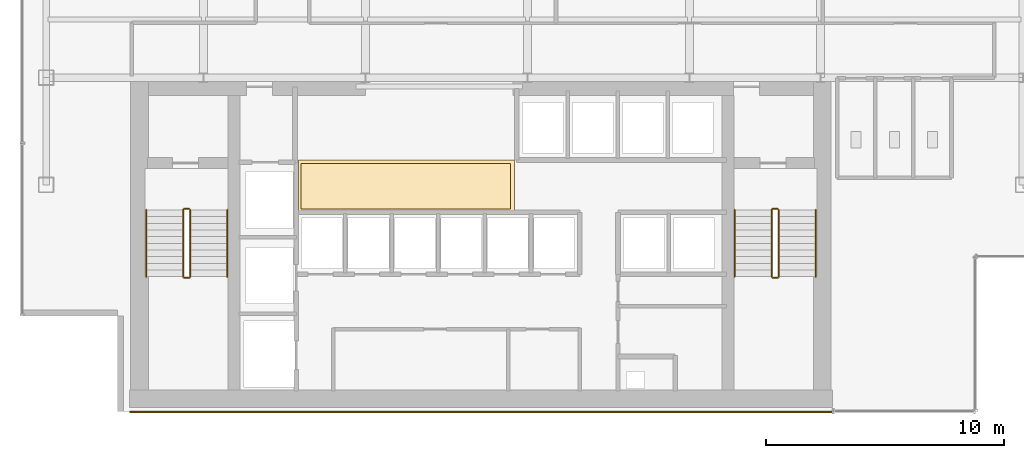
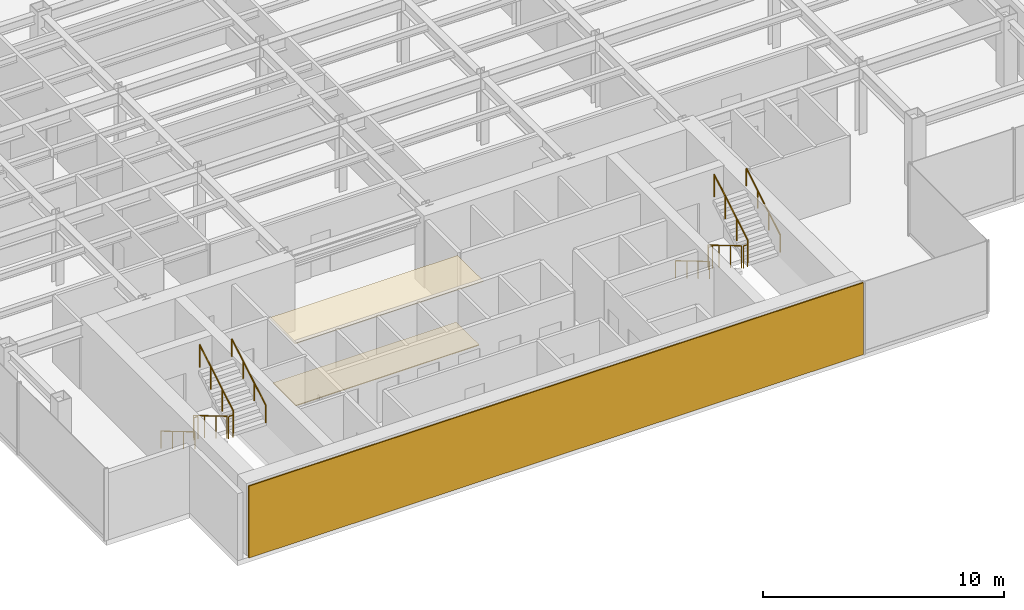
# One storey, part 21 of 23: 12 railings, 3 coverings.
"""IFC4 building model written with IfcOpenShell, lengths in metres."""

from ifc_helpers import new_model, si_unit, derived_unit, direction, frame, origin, origin_2d, place, context, subcontext, project, spatial, polyline, rectangle, circle, outline, extrude, source, transform, mapped, material, layer, layer_set, type_object, element, save


model = new_model("IFC4")

# Units and contexts
model_context = context("Model", 3, precision=1e-05, world=origin(), true_north=direction((0.0, 1.0)))
body_context = subcontext(model_context, "Body", "Model", "MODEL_VIEW")
ifc_project = project(units=[si_unit("LENGTHUNIT", "METRE"), si_unit("AREAUNIT", "SQUARE_METRE"), si_unit("VOLUMEUNIT", "CUBIC_METRE"), si_unit("PLANEANGLEUNIT", "RADIAN"), si_unit("MASSUNIT", "GRAM", prefix="KILO"), derived_unit("THERMALTRANSMITTANCEUNIT", [(si_unit("POWERUNIT", "WATT"), 1), (si_unit("LENGTHUNIT", "METRE"), -2), (si_unit("THERMODYNAMICTEMPERATUREUNIT", "KELVIN"), -1)])], contexts=[model_context])

# Site, building, storey
site_placement = place(None, origin())
site = spatial("IfcSite", under=ifc_project, at=site_placement, CompositionType="ELEMENT")
building_placement = place(site_placement, origin())
building = spatial("IfcBuilding", under=site, at=building_placement, Name="Skarnbrae Concourse Arena and Tower", CompositionType="ELEMENT")
storey_placement = place(building_placement, frame((0.0, 0.0, 140.60009765625)))
storey = spatial("IfcBuildingStorey", under=building, at=storey_placement, Name="L35", CompositionType="ELEMENT", Elevation=140.60009765625)

# Coverings
ifc_material_1 = material(Name="Mineral fibre acoustic ceiling tile", Category="other")
ifc_layer_1 = layer(ifc_material_1, 0.0400390625)
ifc_layer_set_1 = layer_set([ifc_layer_1], Name="Mineral fibre acoustic ceiling tile")
covering_type_1 = type_object("IfcCoveringType", Name="COV-CEIL-ACOUSTIC", PredefinedType="CEILING", material=ifc_layer_set_1)
covering_1_placement = place(storey_placement, frame((0.0, 0.0, 3.239990234375)))
element("IfcCovering", 1, at=covering_1_placement, inside=storey, type_object=covering_type_1, Name="L35 Lift lobby acoustic ceiling", PredefinedType="CEILING", context=body_context, shape_type="SweptSolid", body=[
    extrude(outline(polyline([(11.60009765625, 8.39990234375), (20.64990234375, 8.39990234375), (20.64990234375, 10.550048828125), (11.60009765625, 10.550048828125), (11.60009765625, 8.39990234375)])), origin(), (0.0, 0.0, 1.0), 0.039794921875),
])
ifc_material_2 = material(Name="Polished granite terrazzo flooring", Category="masonry")
ifc_layer_2 = layer(ifc_material_2, 0.0400390625)
ifc_layer_set_2 = layer_set([ifc_layer_2], Name="Polished granite terrazzo flooring")
covering_type_2 = type_object("IfcCoveringType", Name="COV-FLOOR-TERRAZZO", PredefinedType="FLOORING", material=ifc_layer_set_2)
covering_2_placement = place(storey_placement, origin())
element("IfcCovering", 2, at=covering_2_placement, inside=storey, type_object=covering_type_2, Name="L35 Lift lobby terrazzo flooring", PredefinedType="FLOORING", context=body_context, shape_type="SweptSolid", body=[
    extrude(outline(polyline([(11.699951171875, 8.5), (20.5, 8.5), (20.5, 10.39990234375), (11.699951171875, 10.39990234375), (11.699951171875, 8.5)])), origin(), (0.0, 0.0, 1.0), 0.039794921875),
])

# Railings
ifc_material_3 = material(Name="Steel CSA G40.21 350W", Category="steel")
railing_type_1 = type_object("IfcRailingType", Name="RAIL-HANDRAIL-900", PredefinedType="HANDRAIL", material=ifc_material_3)
railing_1_placement = place(storey_placement, frame((5.199951171875, 8.449951171875, 0.165771484375)))
element("IfcRailing", 3, at=railing_1_placement, inside=storey, type_object=railing_type_1, Name="L35 ST-1 stair handrail 1", PredefinedType="HANDRAIL", context=body_context, shape_type="SweptSolid", body=[
    extrude(circle(Radius=0.02392578125, at=origin_2d()), frame((0.0, 0.0, 0.8759765625), z_axis=(0.0, -0.860306154799, 0.50977771628), x_axis=(1.0, 0.0, 0.0)), (0.0, 0.0, 1.0), 3.254638671875),
    extrude(circle(Radius=0.02099609375, at=origin_2d()), origin(), (0.0, 0.0, 1.0), 0.851806640625),
    extrude(circle(Radius=0.02099609375, at=origin_2d()), frame((0.0, -0.933349609375, 0.552978515625)), (0.0, 0.0, 1.0), 0.851806640625),
    extrude(circle(Radius=0.02099609375, at=origin_2d()), frame((0.0, -1.86669921875, 1.106201171875)), (0.0, 0.0, 1.0), 0.851806640625),
    extrude(circle(Radius=0.02099609375, at=origin_2d()), frame((0.0, -2.800048828125, 1.6591796875)), (0.0, 0.0, 1.0), 0.851806640625),
])
railing_2_placement = place(storey_placement, frame((8.60009765625, 5.64990234375, 1.99072265625)))
element("IfcRailing", 4, at=railing_2_placement, inside=storey, type_object=railing_type_1, Name="L35 ST-1 stair handrail 2", PredefinedType="HANDRAIL", context=body_context, shape_type="SweptSolid", body=[
    extrude(circle(Radius=0.02392578125, at=origin_2d()), frame((0.0, 0.0, 0.8759765625), z_axis=(0.0, 0.860306154799, 0.50977771628), x_axis=(-1.0, 0.0, 0.0)), (0.0, 0.0, 1.0), 3.254638671875),
    extrude(circle(Radius=0.02099609375, at=origin_2d()), origin(), (0.0, 0.0, 1.0), 0.851806640625),
    extrude(circle(Radius=0.02099609375, at=origin_2d()), frame((0.0, 0.933349609375, 0.552978515625)), (0.0, 0.0, 1.0), 0.851806640625),
    extrude(circle(Radius=0.02099609375, at=origin_2d()), frame((0.0, 1.86669921875, 1.106201171875)), (0.0, 0.0, 1.0), 0.851806640625),
    extrude(circle(Radius=0.02099609375, at=origin_2d()), frame((0.0, 2.800048828125, 1.6591796875)), (0.0, 0.0, 1.0), 0.851806640625),
])
railing_3_placement = place(storey_placement, frame((29.89990234375, 8.449951171875, 0.165771484375)))
element("IfcRailing", 5, at=railing_3_placement, inside=storey, type_object=railing_type_1, Name="L35 ST-2 stair handrail 1", PredefinedType="HANDRAIL", context=body_context, shape_type="SweptSolid", body=[
    extrude(circle(Radius=0.02392578125, at=origin_2d()), frame((0.0, 0.0, 0.8759765625), z_axis=(0.0, -0.860306154799, 0.50977771628), x_axis=(1.0, 0.0, 0.0)), (0.0, 0.0, 1.0), 3.254638671875),
    extrude(circle(Radius=0.02099609375, at=origin_2d()), origin(), (0.0, 0.0, 1.0), 0.851806640625),
    extrude(circle(Radius=0.02099609375, at=origin_2d()), frame((0.0, -0.933349609375, 0.552978515625)), (0.0, 0.0, 1.0), 0.851806640625),
    extrude(circle(Radius=0.02099609375, at=origin_2d()), frame((0.0, -1.86669921875, 1.106201171875)), (0.0, 0.0, 1.0), 0.851806640625),
    extrude(circle(Radius=0.02099609375, at=origin_2d()), frame((0.0, -2.800048828125, 1.6591796875)), (0.0, 0.0, 1.0), 0.851806640625),
])
railing_4_placement = place(storey_placement, frame((33.300048828125, 5.64990234375, 1.99072265625)))
element("IfcRailing", 6, at=railing_4_placement, inside=storey, type_object=railing_type_1, Name="L35 ST-2 stair handrail 2", PredefinedType="HANDRAIL", context=body_context, shape_type="SweptSolid", body=[
    extrude(circle(Radius=0.02392578125, at=origin_2d()), frame((0.0, 0.0, 0.8759765625), z_axis=(0.0, 0.860306154799, 0.50977771628), x_axis=(-1.0, 0.0, 0.0)), (0.0, 0.0, 1.0), 3.254638671875),
    extrude(circle(Radius=0.02099609375, at=origin_2d()), origin(), (0.0, 0.0, 1.0), 0.851806640625),
    extrude(circle(Radius=0.02099609375, at=origin_2d()), frame((0.0, 0.933349609375, 0.552978515625)), (0.0, 0.0, 1.0), 0.851806640625),
    extrude(circle(Radius=0.02099609375, at=origin_2d()), frame((0.0, 1.86669921875, 1.106201171875)), (0.0, 0.0, 1.0), 0.851806640625),
    extrude(circle(Radius=0.02099609375, at=origin_2d()), frame((0.0, 2.800048828125, 1.6591796875)), (0.0, 0.0, 1.0), 0.851806640625),
])
railing_type_2 = type_object("IfcRailingType", Name="RAIL-STAIR-GUARD-1150", PredefinedType="GUARDRAIL", material=ifc_material_3)
railing_5_placement = place(storey_placement, frame((6.75, 8.449951171875, 0.165771484375)))
element("IfcRailing", 7, at=railing_5_placement, inside=storey, type_object=railing_type_2, Name="L35 ST-1 stair guard 1", PredefinedType="GUARDRAIL", context=body_context, shape_type="SweptSolid", body=[
    extrude(circle(Radius=0.02392578125, at=origin_2d()), frame((0.0, 0.0, 1.1259765625), z_axis=(0.0, -0.860306154799, 0.50977771628), x_axis=(1.0, 0.0, 0.0)), (0.0, 0.0, 1.0), 3.254638671875),
    extrude(circle(Radius=0.02099609375, at=origin_2d()), origin(), (0.0, 0.0, 1.0), 1.101806640625),
    extrude(circle(Radius=0.02099609375, at=origin_2d()), frame((0.0, -0.933349609375, 0.552978515625)), (0.0, 0.0, 1.0), 1.101806640625),
    extrude(circle(Radius=0.02099609375, at=origin_2d()), frame((0.0, -1.86669921875, 1.106201171875)), (0.0, 0.0, 1.0), 1.101806640625),
    extrude(circle(Radius=0.02099609375, at=origin_2d()), frame((0.0, -2.800048828125, 1.6591796875)), (0.0, 0.0, 1.0), 1.101806640625),
])
railing_6_placement = place(storey_placement, frame((6.800048828125, 5.60009765625, 1.824951171875)))
element("IfcRailing", 8, at=railing_6_placement, inside=storey, type_object=railing_type_2, Name="L35 ST-1 stair guard 2", PredefinedType="GUARDRAIL", context=body_context, shape_type="SweptSolid", body=[
    extrude(circle(Radius=0.02392578125, at=origin_2d()), frame((0.0, 0.0, 1.1259765625), z_axis=(1.0, 0.0, 0.0), x_axis=(0.0, 1.0, 0.0)), (0.0, 0.0, 1.0), 0.199951171875),
    extrude(circle(Radius=0.02099609375, at=origin_2d()), origin(), (0.0, 0.0, 1.0), 1.101806640625),
    extrude(circle(Radius=0.02099609375, at=origin_2d()), frame((0.199951171875, 0.0, 0.0)), (0.0, 0.0, 1.0), 1.101806640625),
])
railing_7_placement = place(storey_placement, frame((7.050048828125, 5.64990234375, 1.99072265625)))
element("IfcRailing", 9, at=railing_7_placement, inside=storey, type_object=railing_type_2, Name="L35 ST-1 stair guard 3", PredefinedType="GUARDRAIL", context=body_context, shape_type="SweptSolid", body=[
    extrude(circle(Radius=0.02392578125, at=origin_2d()), frame((0.0, 0.0, 1.1259765625), z_axis=(0.0, 0.860306154799, 0.50977771628), x_axis=(-1.0, 0.0, 0.0)), (0.0, 0.0, 1.0), 3.254638671875),
    extrude(circle(Radius=0.02099609375, at=origin_2d()), origin(), (0.0, 0.0, 1.0), 1.101806640625),
    extrude(circle(Radius=0.02099609375, at=origin_2d()), frame((0.0, 0.933349609375, 0.552978515625)), (0.0, 0.0, 1.0), 1.101806640625),
    extrude(circle(Radius=0.02099609375, at=origin_2d()), frame((0.0, 1.86669921875, 1.106201171875)), (0.0, 0.0, 1.0), 1.101806640625),
    extrude(circle(Radius=0.02099609375, at=origin_2d()), frame((0.0, 2.800048828125, 1.6591796875)), (0.0, 0.0, 1.0), 1.101806640625),
])
railing_8_placement = place(storey_placement, frame((6.800048828125, 8.5, 0.0)))
element("IfcRailing", 10, at=railing_8_placement, inside=storey, type_object=railing_type_2, Name="L35 ST-1 stair guard 4", PredefinedType="GUARDRAIL", context=body_context, shape_type="SweptSolid", body=[
    extrude(circle(Radius=0.02392578125, at=origin_2d()), frame((0.0, 0.0, 1.1259765625), z_axis=(1.0, 0.0, 0.0), x_axis=(0.0, 1.0, 0.0)), (0.0, 0.0, 1.0), 0.199951171875),
    extrude(circle(Radius=0.02099609375, at=origin_2d()), origin(), (0.0, 0.0, 1.0), 1.101806640625),
    extrude(circle(Radius=0.02099609375, at=origin_2d()), frame((0.199951171875, 0.0, 0.0)), (0.0, 0.0, 1.0), 1.101806640625),
])
railing_9_placement = place(storey_placement, frame((31.449951171875, 8.449951171875, 0.165771484375)))
element("IfcRailing", 11, at=railing_9_placement, inside=storey, type_object=railing_type_2, Name="L35 ST-2 stair guard 1", PredefinedType="GUARDRAIL", context=body_context, shape_type="SweptSolid", body=[
    extrude(circle(Radius=0.02392578125, at=origin_2d()), frame((0.0, 0.0, 1.1259765625), z_axis=(0.0, -0.860306154799, 0.50977771628), x_axis=(1.0, 0.0, 0.0)), (0.0, 0.0, 1.0), 3.254638671875),
    extrude(circle(Radius=0.02099609375, at=origin_2d()), origin(), (0.0, 0.0, 1.0), 1.101806640625),
    extrude(circle(Radius=0.02099609375, at=origin_2d()), frame((0.0, -0.933349609375, 0.552978515625)), (0.0, 0.0, 1.0), 1.101806640625),
    extrude(circle(Radius=0.02099609375, at=origin_2d()), frame((0.0, -1.86669921875, 1.106201171875)), (0.0, 0.0, 1.0), 1.101806640625),
    extrude(circle(Radius=0.02099609375, at=origin_2d()), frame((0.0, -2.800048828125, 1.6591796875)), (0.0, 0.0, 1.0), 1.101806640625),
])
railing_10_placement = place(storey_placement, frame((31.5, 5.60009765625, 1.824951171875)))
element("IfcRailing", 12, at=railing_10_placement, inside=storey, type_object=railing_type_2, Name="L35 ST-2 stair guard 2", PredefinedType="GUARDRAIL", context=body_context, shape_type="SweptSolid", body=[
    extrude(circle(Radius=0.02392578125, at=origin_2d()), frame((0.0, 0.0, 1.1259765625), z_axis=(1.0, 0.0, 0.0), x_axis=(0.0, 1.0, 0.0)), (0.0, 0.0, 1.0), 0.199951171875),
    extrude(circle(Radius=0.02099609375, at=origin_2d()), origin(), (0.0, 0.0, 1.0), 1.101806640625),
    extrude(circle(Radius=0.02099609375, at=origin_2d()), frame((0.199951171875, 0.0, 0.0)), (0.0, 0.0, 1.0), 1.101806640625),
])
railing_11_placement = place(storey_placement, frame((31.75, 5.64990234375, 1.99072265625)))
element("IfcRailing", 13, at=railing_11_placement, inside=storey, type_object=railing_type_2, Name="L35 ST-2 stair guard 3", PredefinedType="GUARDRAIL", context=body_context, shape_type="SweptSolid", body=[
    extrude(circle(Radius=0.02392578125, at=origin_2d()), frame((0.0, 0.0, 1.1259765625), z_axis=(0.0, 0.860306154799, 0.50977771628), x_axis=(-1.0, 0.0, 0.0)), (0.0, 0.0, 1.0), 3.254638671875),
    extrude(circle(Radius=0.02099609375, at=origin_2d()), origin(), (0.0, 0.0, 1.0), 1.101806640625),
    extrude(circle(Radius=0.02099609375, at=origin_2d()), frame((0.0, 0.933349609375, 0.552978515625)), (0.0, 0.0, 1.0), 1.101806640625),
    extrude(circle(Radius=0.02099609375, at=origin_2d()), frame((0.0, 1.86669921875, 1.106201171875)), (0.0, 0.0, 1.0), 1.101806640625),
    extrude(circle(Radius=0.02099609375, at=origin_2d()), frame((0.0, 2.800048828125, 1.6591796875)), (0.0, 0.0, 1.0), 1.101806640625),
])
railing_12_placement = place(storey_placement, frame((31.5, 8.5, 0.0)))
element("IfcRailing", 14, at=railing_12_placement, inside=storey, type_object=railing_type_2, Name="L35 ST-2 stair guard 4", PredefinedType="GUARDRAIL", context=body_context, shape_type="SweptSolid", body=[
    extrude(circle(Radius=0.02392578125, at=origin_2d()), frame((0.0, 0.0, 1.1259765625), z_axis=(1.0, 0.0, 0.0), x_axis=(0.0, 1.0, 0.0)), (0.0, 0.0, 1.0), 0.199951171875),
    extrude(circle(Radius=0.02099609375, at=origin_2d()), origin(), (0.0, 0.0, 1.0), 1.101806640625),
    extrude(circle(Radius=0.02099609375, at=origin_2d()), frame((0.199951171875, 0.0, 0.0)), (0.0, 0.0, 1.0), 1.101806640625),
])

# Covering
ifc_material_4 = material(Name="Bronze anodised aluminium 6063-T6", Category="aluminium")
ifc_layer_3 = layer(ifc_material_4, 0.06005859375)
ifc_layer_set_3 = layer_set([ifc_layer_3], Name="Bronze anodised aluminium 6063-T6")
covering_type_3 = type_object("IfcCoveringType", Name="COV-CLAD-BRONZE-60", PredefinedType="CLADDING", material=ifc_layer_set_3)
shared_shape = source(origin(), body_context, "Body", "SweptSolid", [
    extrude(rectangle(XDim=29.5, YDim=0.06005859375, at=origin_2d()), origin(), (0.0, 0.0, 1.0), 3.64990234375),
])
covering_3_placement = place(storey_placement, frame((19.25, -0.030029296875, 0.0), z_axis=(0.0, 0.0, 1.0), x_axis=(1.0, 0.0, 0.0)))
element("IfcCovering", 15, at=covering_3_placement, inside=storey, type_object=covering_type_3, Name="L35 Rear-core plumb spine bronze rainscreen panel", PredefinedType="CLADDING", context=body_context, shape_type="MappedRepresentation", body=[
    mapped(shared_shape, transform((0.0, 0.0, 0.0))),
])

save(model, "model.ifc")
